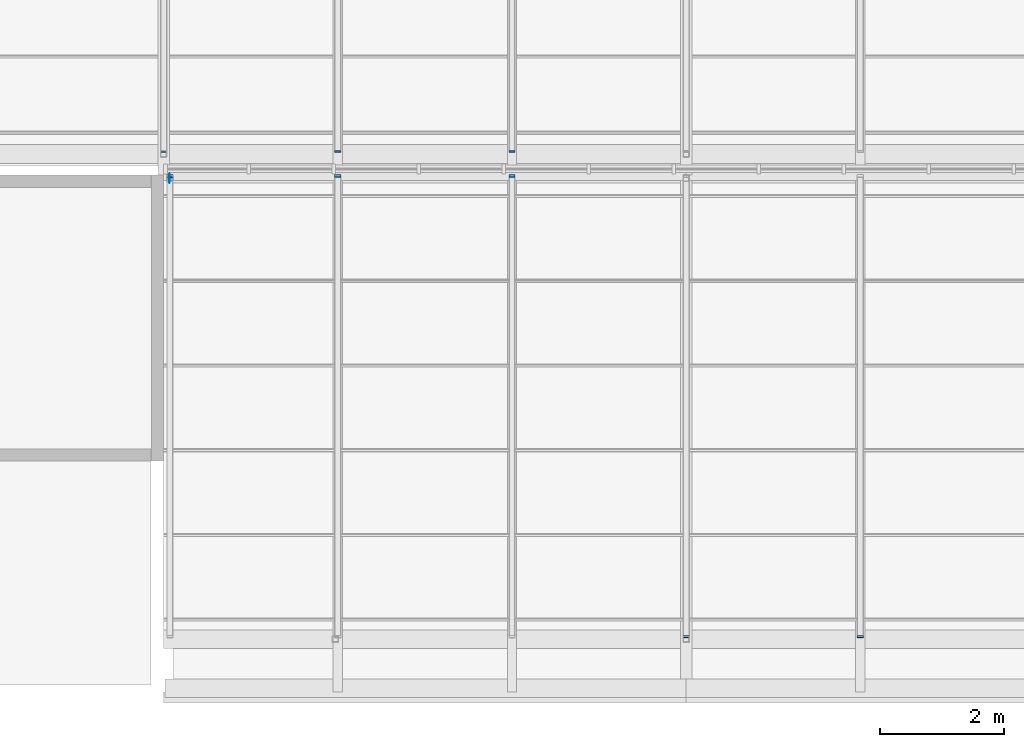
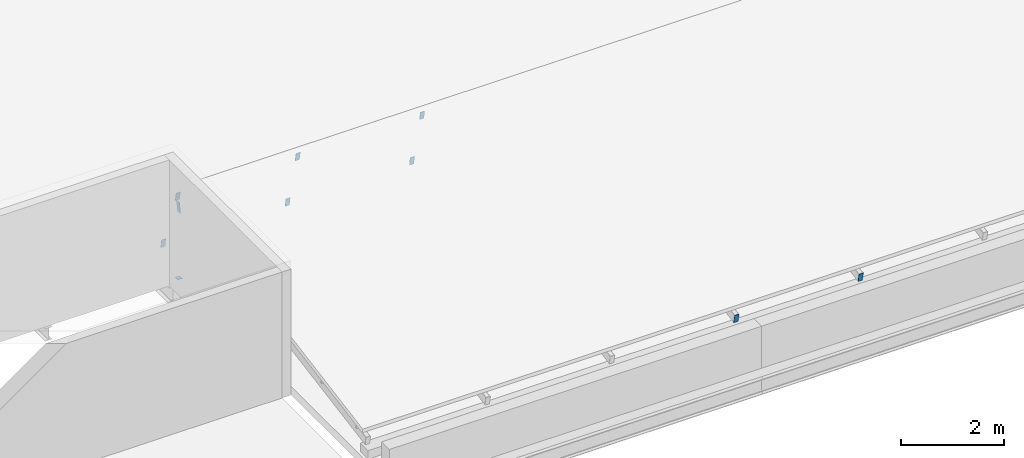
# One storey, part 33 of 42: 10 discrete accessories.
"""IFC4 building model written with IfcOpenShell, lengths in metres."""

from ifc_helpers import new_model, si_unit, direction, frame, origin, origin_2d, place, context, subcontext, project, spatial, rectangle, extrude, material, material_profile, profile_set, type_object, element, save


model = new_model("IFC4")

# Units and contexts
model_context = context("Model", 3, precision=1e-05, world=origin(), true_north=direction((0.0, 1.0)))
body_context = subcontext(model_context, "Body", "Model", "MODEL_VIEW")
ifc_project = project(units=[si_unit("LENGTHUNIT", "METRE"), si_unit("AREAUNIT", "SQUARE_METRE"), si_unit("VOLUMEUNIT", "CUBIC_METRE"), si_unit("PLANEANGLEUNIT", "RADIAN"), si_unit("MASSUNIT", "GRAM", prefix="KILO")], contexts=[model_context])

# Site, building, storey
site_placement = place(None, origin())
site = spatial("IfcSite", under=ifc_project, at=site_placement, CompositionType="ELEMENT")
building_placement = place(site_placement, origin())
building = spatial("IfcBuilding", under=site, at=building_placement, Name="Ardhachandra Cancer Care Centre", CompositionType="ELEMENT")
storey_placement = place(building_placement, frame((0.0, 0.0, 22.5)))
storey = spatial("IfcBuildingStorey", under=building, at=storey_placement, Name="L05", CompositionType="ELEMENT", Elevation=22.5)

# Discrete accessories
ifc_material_1 = material(Name="Galvanised flat steel (Steel E250 (IS 2062))", Category="steel")
ifc_material_profile_1 = material_profile(ifc_material_1, rectangle(XDim=0.10009765625, YDim=0.199951171875, at=origin_2d()), Name="Rafter end plate 200 x 100 x 8")
ifc_profile_set_1 = profile_set([ifc_material_profile_1], Name="Galvanised flat steel (Steel E250 (IS 2062))")
discrete_accessory_type_1 = type_object("IfcDiscreteAccessoryType", Name="Rafter end plate 200 x 100 x 8", PredefinedType="BRACKET", material=ifc_profile_set_1)
for number, where, z_axis, x_axis, name in (
    (1, (19.300048828125, 79.782470703125, 1.91845703125), (0.0, 0.982872186934, 0.18428853505), (-1.0, 0.0, 0.0), "Rafter end plate NT1a.1.2"),
    (2, (22.0, 79.782470703125, 1.91845703125), (0.0, 0.982872186934, 0.18428853505), (-1.0, 0.0, 0.0), "Rafter end plate NT1a.2.2"),
    (3, (24.800048828125, 79.782470703125, 1.91845703125), (0.0, 0.982872186934, 0.18428853505), (-1.0, 0.0, 0.0), "Rafter end plate NT1a.3.2"),
    (4, (27.60009765625, 72.38232421875, 0.598388671875), (0.0, -0.982872186934, -0.18428853505), (1.0, 0.0, 0.0), "Rafter end plate NT1a.4.1"),
    (5, (30.39990234375, 72.38232421875, 0.598388671875), (0.0, -0.982872186934, -0.18428853505), (1.0, 0.0, 0.0), "Rafter end plate NT1a.5.1"),
    (6, (19.199951171875, 80.183837890625, 0.5986328125), (0.0, -0.988715504225, -0.149805379428), (1.0, 0.0, 0.0), "Rafter end plate NT2a.4.1"),
    (7, (22.0, 80.183837890625, 0.5986328125), (0.0, -0.988715504225, -0.149805379428), (1.0, 0.0, 0.0), "Rafter end plate NT2a.5.1"),
    (8, (24.800048828125, 80.183837890625, 0.5986328125), (0.0, -0.988715504225, -0.149805379428), (1.0, 0.0, 0.0), "Rafter end plate NT2a.6.1"),
):
    element("IfcDiscreteAccessory", number, at=place(storey_placement, frame(where, z_axis=z_axis, x_axis=x_axis)), inside=storey, type_object=discrete_accessory_type_1, Name=name, PredefinedType="BRACKET", context=body_context, shape_type="SweptSolid", body=[
        extrude(rectangle(XDim=0.10009765625, YDim=0.199951171875, at=origin_2d()), origin(), (0.0, 0.0, 1.0), 0.008056640625),
    ])
ifc_material_2 = material(Name="Galvanised flat steel (Steel E250 (IS 2062))", Category="steel")
ifc_material_profile_2 = material_profile(ifc_material_2, rectangle(XDim=0.1201171875, YDim=0.239990234375, at=origin_2d()), Name="Ridge beam end plate 240 x 120 x 8")
ifc_profile_set_2 = profile_set([ifc_material_profile_2], Name="Galvanised flat steel (Steel E250 (IS 2062))")
discrete_accessory_type_2 = type_object("IfcDiscreteAccessoryType", Name="Ridge beam end plate 240 x 120 x 8", PredefinedType="BRACKET", material=ifc_profile_set_2)
discrete_accessory_1_placement = place(storey_placement, frame((19.300048828125, 79.75, 1.689208984375), z_axis=(-1.0, 0.0, 0.0), x_axis=(0.0, -0.984460447526, 0.175606455623)))
element("IfcDiscreteAccessory", 9, at=discrete_accessory_1_placement, inside=storey, type_object=discrete_accessory_type_2, Name="Ridge beam end plate NT1a.1", PredefinedType="BRACKET", context=body_context, shape_type="SweptSolid", body=[
    extrude(rectangle(XDim=0.1201171875, YDim=0.239990234375, at=origin_2d()), origin(), (0.0, 0.0, 1.0), 0.008056640625),
])
ifc_material_3 = material(Name="Galvanised flat steel (Steel E250 (IS 2062))", Category="steel")
ifc_material_profile_3 = material_profile(ifc_material_3, rectangle(XDim=0.10009765625, YDim=0.10009765625, at=origin_2d()), Name="Ridge post foot plate 100 x 100 x 8")
ifc_profile_set_3 = profile_set([ifc_material_profile_3], Name="Galvanised flat steel (Steel E250 (IS 2062))")
discrete_accessory_type_3 = type_object("IfcDiscreteAccessoryType", Name="Ridge post foot plate 100 x 100 x 8", PredefinedType="BRACKET", material=ifc_profile_set_3)
discrete_accessory_2_placement = place(storey_placement, frame((19.300048828125, 79.75, 0.0), z_axis=(0.0, 0.0, -1.0), x_axis=(1.0, 0.0, 0.0)))
element("IfcDiscreteAccessory", 10, at=discrete_accessory_2_placement, inside=storey, type_object=discrete_accessory_type_3, Name="Ridge post foot plate NT1a.1", PredefinedType="BRACKET", context=body_context, shape_type="SweptSolid", body=[
    extrude(rectangle(XDim=0.10009765625, YDim=0.10009765625, at=origin_2d()), origin(), (0.0, 0.0, 1.0), 0.008056640625),
])

save(model, "model.ifc")
